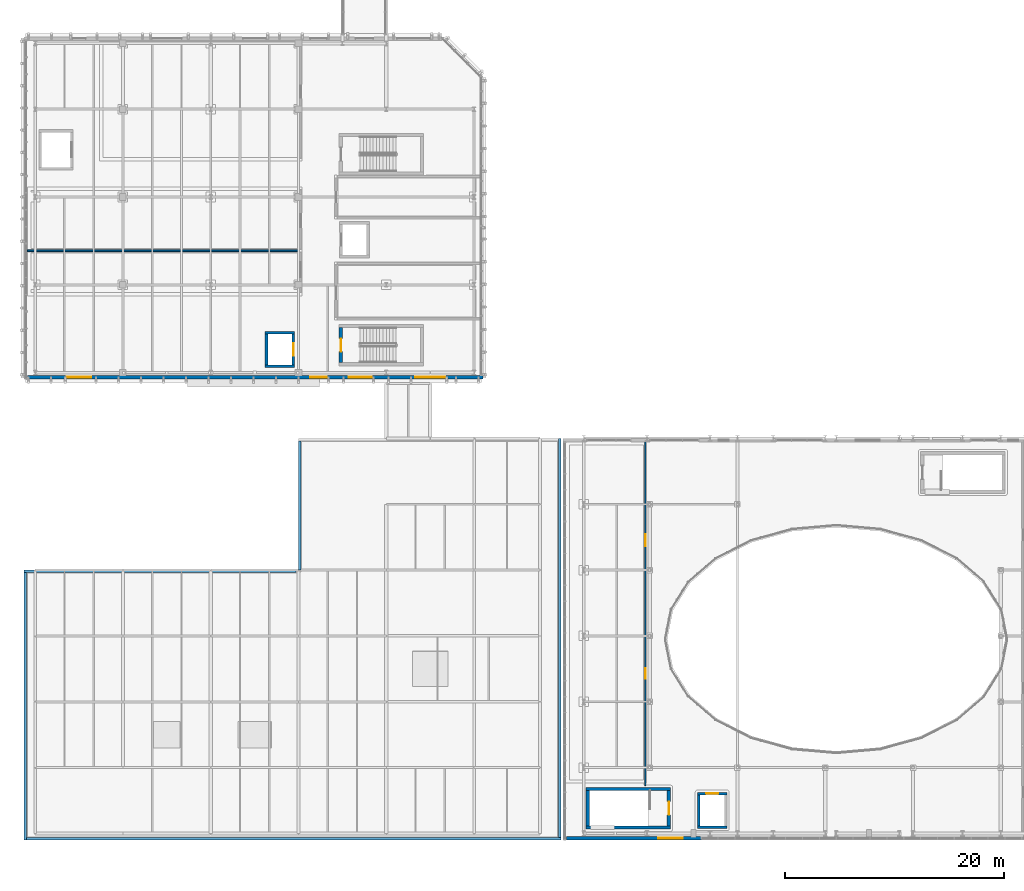
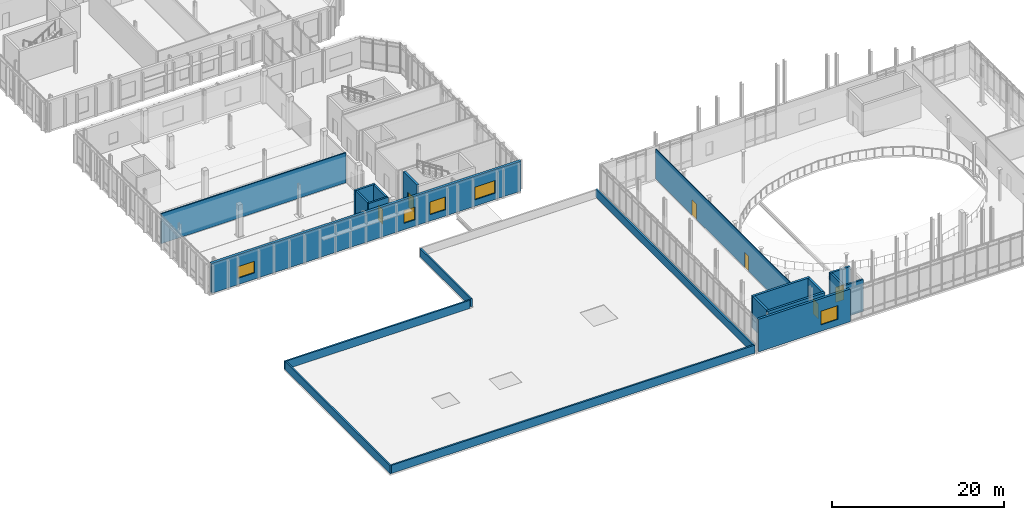
# One storey, part 59 of 86: 21 walls, 6 doors, 5 windows, 11 openings.
"""IFC4 building model written with IfcOpenShell, lengths in metres."""

from ifc_helpers import new_model, si_unit, direction, frame, frame_2d, origin, place, context, subcontext, project, spatial, rectangle, extrude, material, layer, layer_set, type_object, element, fill, save


model = new_model("IFC4")

# Units and contexts
model_context = context("Model", 3, precision=1e-05, world=origin(), true_north=direction((0.0, 1.0)))
body_context = subcontext(model_context, "Body", "Model", "MODEL_VIEW")
ifc_project = project(units=[si_unit("LENGTHUNIT", "METRE"), si_unit("AREAUNIT", "SQUARE_METRE"), si_unit("VOLUMEUNIT", "CUBIC_METRE"), si_unit("PLANEANGLEUNIT", "RADIAN"), si_unit("MASSUNIT", "GRAM", prefix="KILO")], contexts=[model_context])

# Site, building, storey
site_placement = place(None, origin())
site = spatial("IfcSite", under=ifc_project, at=site_placement, CompositionType="ELEMENT")
building_placement = place(site_placement, origin())
building = spatial("IfcBuilding", under=site, at=building_placement, Name="Cymarion Research Institute", CompositionType="ELEMENT")
storey_placement = place(building_placement, frame((0.0, 0.0, 13.800048828125)))
storey = spatial("IfcBuildingStorey", under=building, at=storey_placement, Name="L03", CompositionType="ELEMENT", Elevation=13.800048828125)

# Walls
ifc_material_1 = material(Name="Precast concrete C40/50", Category="concrete")
ifc_layer_1 = layer(ifc_material_1, 0.219970703125)
ifc_layer_set_1 = layer_set([ifc_layer_1], Name="Precast concrete C40/50")
wall_type_1 = type_object("IfcWallType", Name="EXTERIOR WALL EW-PAR220 220MM", PredefinedType="PARAPET", material=ifc_layer_set_1)
wall_1_placement = place(storey_placement, frame((5.820068359375, 5.010009765625, 0.0), z_axis=(0.0, 0.0, 1.0), x_axis=(1.0, 0.0, 0.0)))
element("IfcWall", 1, at=wall_1_placement, inside=storey, type_object=wall_type_1, Name="L03 ROOF-L03-V3W precast roof parapet #1", PredefinedType="PARAPET", context=body_context, shape_type="SweptSolid", body=[
    extrude(rectangle(XDim=48.679931640625, YDim=0.219970703125, at=frame_2d((24.33984375, 0.0))), origin(), (0.0, 0.0, 1.0), 1.14990234375),
])
wall_2_placement = place(storey_placement, frame((54.389892578125, 5.1201171875, 0.0), z_axis=(0.0, 0.0, 1.0), x_axis=(0.0, 1.0, 0.0)))
element("IfcWall", 2, at=wall_2_placement, inside=storey, type_object=wall_type_1, Name="L03 ROOF-L03-V3W precast roof parapet #2", PredefinedType="PARAPET", context=body_context, shape_type="SweptSolid", body=[
    extrude(rectangle(XDim=36.3798828125, YDim=0.219970703125, at=frame_2d((18.18994140625, 0.0))), origin(), (0.0, 0.0, 1.0), 1.14990234375),
])
wall_3_placement = place(storey_placement, frame((30.7099609375, 41.280029296875, 0.0), z_axis=(0.0, 0.0, 1.0), x_axis=(0.0, -1.0, 0.0)))
element("IfcWall", 3, at=wall_3_placement, inside=storey, type_object=wall_type_1, Name="L03 ROOF-L03-V3W precast roof parapet #4", PredefinedType="PARAPET", context=body_context, shape_type="SweptSolid", body=[
    extrude(rectangle(XDim=11.780029296875, YDim=0.219970703125, at=frame_2d((5.89013671875, 0.0))), origin(), (0.0, 0.0, 1.0), 1.14990234375),
])
wall_4_placement = place(storey_placement, frame((30.3798828125, 29.389892578125, 0.0), z_axis=(0.0, 0.0, 1.0), x_axis=(-1.0, 0.0, 0.0)))
element("IfcWall", 4, at=wall_4_placement, inside=storey, type_object=wall_type_1, Name="L03 ROOF-L03-V3W precast roof parapet #5", PredefinedType="PARAPET", context=body_context, shape_type="SweptSolid", body=[
    extrude(rectangle(XDim=24.77978515625, YDim=0.219970703125, at=frame_2d((12.389892578125, 0.0))), origin(), (0.0, 0.0, 1.0), 1.14990234375),
])
wall_5_placement = place(storey_placement, frame((5.7099609375, 29.280029296875, 0.0), z_axis=(0.0, 0.0, 1.0), x_axis=(0.0, -1.0, 0.0)))
element("IfcWall", 5, at=wall_5_placement, inside=storey, type_object=wall_type_1, Name="L03 ROOF-L03-V3W precast roof parapet #6", PredefinedType="PARAPET", context=body_context, shape_type="SweptSolid", body=[
    extrude(rectangle(XDim=24.380126953125, YDim=0.219970703125, at=frame_2d((12.18994140625, 0.0))), origin(), (0.0, 0.0, 1.0), 1.14990234375),
])

# Wall, openings, windows
ifc_layer_2 = layer(ifc_material_1, 0.340087890625)
ifc_layer_set_2 = layer_set([ifc_layer_2], Name="Precast concrete C40/50")
wall_type_2 = type_object("IfcWallType", Name="EXTERIOR WALL EW-PC340 340MM", PredefinedType="SOLIDWALL", material=ifc_layer_set_2)
wall_6_placement = place(storey_placement, frame((5.922119140625, 47.070068359375, 0.0), z_axis=(0.0, 0.0, 1.0), x_axis=(1.0, 0.0, 0.0)))
wall_6 = element("IfcWall", 6, at=wall_6_placement, inside=storey, type_object=wall_type_2, Name="L03 V4 exterior wall EW-PC340 #188", PredefinedType="SOLIDWALL", context=body_context, shape_type="SweptSolid", body=[
    extrude(rectangle(XDim=41.477783203125, YDim=0.340087890625, at=frame_2d((20.73876953125, 0.0))), origin(), (0.0, 0.0, 1.0), 4.25),
])
opening_1_placement = place(wall_6_placement, frame((3.568115234375, 0.0, 0.89990234375)))
opening_1 = element("IfcOpeningElement", 7, at=opening_1_placement, cuts=wall_6, Name="Opening W34", PredefinedType="OPENING", context=body_context, shape_type="SweptSolid", body=[
    extrude(rectangle(XDim=2.199951171875, YDim=1.64990234375, at=frame_2d((1.10009765625, 0.824951171875))), frame((0.0, 0.179931640625, 0.0), z_axis=(0.0, -1.0, 0.0), x_axis=(1.0, 0.0, 0.0)), (0.0, 0.0, 1.0), 0.360107421875),
])
opening_2_placement = place(wall_6_placement, frame((25.758056640625, 0.0, 0.89990234375)))
opening_2 = element("IfcOpeningElement", 8, at=opening_2_placement, cuts=wall_6, Name="Opening W02", PredefinedType="OPENING", context=body_context, shape_type="SweptSolid", body=[
    extrude(rectangle(XDim=1.5, YDim=1.800048828125, at=frame_2d((0.75, 0.89990234375))), frame((0.0, 0.179931640625, 0.0), z_axis=(0.0, -1.0, 0.0), x_axis=(1.0, 0.0, 0.0)), (0.0, 0.0, 1.0), 0.360107421875),
])
opening_3_placement = place(wall_6_placement, frame((29.258056640625, 0.0, 0.89990234375)))
opening_3 = element("IfcOpeningElement", 9, at=opening_3_placement, cuts=wall_6, Name="Opening W04", PredefinedType="OPENING", context=body_context, shape_type="SweptSolid", body=[
    extrude(rectangle(XDim=2.10009765625, YDim=1.800048828125, at=frame_2d((1.050048828125, 0.89990234375))), frame((0.0, 0.179931640625, 0.0), z_axis=(0.0, -1.0, 0.0), x_axis=(1.0, 0.0, 0.0)), (0.0, 0.0, 1.0), 0.360107421875),
])
opening_4_placement = place(wall_6_placement, frame((35.327880859375, 0.0, 0.89990234375)))
opening_4 = element("IfcOpeningElement", 10, at=opening_4_placement, cuts=wall_6, Name="Opening W06", PredefinedType="OPENING", context=body_context, shape_type="SweptSolid", body=[
    extrude(rectangle(XDim=2.699951171875, YDim=1.800048828125, at=frame_2d((1.35009765625, 0.89990234375))), frame((0.0, 0.179931640625, 0.0), z_axis=(0.0, -1.0, 0.0), x_axis=(1.0, 0.0, 0.0)), (0.0, 0.0, 1.0), 0.360107421875),
])
ifc_material_2 = material(Name="Thermally broken aluminium window with Low-E glazing", Category="aluminium")
window_type_1 = type_object("IfcWindowType", Name="THERMALLY BROKEN ALUMINIUM WINDOW W02 1500X1800", PartitioningType="DOUBLE_PANEL_VERTICAL", PredefinedType="WINDOW", material=ifc_material_2)
window_1_placement = place(opening_2_placement, origin())
window_1 = element("IfcWindow", 11, at=window_1_placement, inside=storey, type_object=window_type_1, Name="L03 V4 facade window W02 #337", OverallHeight=1.800048828125, OverallWidth=1.5, PartitioningType="SINGLE_PANEL", PredefinedType="WINDOW", context=body_context, shape_type="SweptSolid", body=[
    extrude(rectangle(XDim=1.5, YDim=1.800048828125, at=frame_2d((0.75, 0.89990234375))), frame((0.0, 0.030029296875, 0.0), z_axis=(0.0, -1.0, 0.0), x_axis=(1.0, 0.0, 0.0)), (0.0, 0.0, 1.0), 0.06005859375),
])
fill(opening_2, window_1)
window_type_2 = type_object("IfcWindowType", Name="THERMALLY BROKEN ALUMINIUM WINDOW W04 2100X1800", PartitioningType="DOUBLE_PANEL_VERTICAL", PredefinedType="WINDOW", material=ifc_material_2)
window_2_placement = place(opening_3_placement, origin())
window_2 = element("IfcWindow", 12, at=window_2_placement, inside=storey, type_object=window_type_2, Name="L03 V4 facade window W04 #338", OverallHeight=1.800048828125, OverallWidth=2.10009765625, PartitioningType="SINGLE_PANEL", PredefinedType="WINDOW", context=body_context, shape_type="SweptSolid", body=[
    extrude(rectangle(XDim=2.10009765625, YDim=1.800048828125, at=frame_2d((1.050048828125, 0.89990234375))), frame((0.0, 0.030029296875, 0.0), z_axis=(0.0, -1.0, 0.0), x_axis=(1.0, 0.0, 0.0)), (0.0, 0.0, 1.0), 0.06005859375),
])
fill(opening_3, window_2)
window_type_3 = type_object("IfcWindowType", Name="THERMALLY BROKEN ALUMINIUM WINDOW W06 2700X1800", PartitioningType="TRIPLE_PANEL_VERTICAL", PredefinedType="WINDOW", material=ifc_material_2)
window_3_placement = place(opening_4_placement, origin())
window_3 = element("IfcWindow", 13, at=window_3_placement, inside=storey, type_object=window_type_3, Name="L03 V4 facade window W06 #339", OverallHeight=1.800048828125, OverallWidth=2.699951171875, PartitioningType="SINGLE_PANEL", PredefinedType="WINDOW", context=body_context, shape_type="SweptSolid", body=[
    extrude(rectangle(XDim=2.699951171875, YDim=1.800048828125, at=frame_2d((1.35009765625, 0.89990234375))), frame((0.0, 0.030029296875, 0.0), z_axis=(0.0, -1.0, 0.0), x_axis=(1.0, 0.0, 0.0)), (0.0, 0.0, 1.0), 0.06005859375),
])
fill(opening_4, window_3)
window_type_4 = type_object("IfcWindowType", Name="THERMALLY BROKEN ALUMINIUM WINDOW W34 2200X1650", PartitioningType="DOUBLE_PANEL_VERTICAL", PredefinedType="WINDOW", material=ifc_material_2)
window_4_placement = place(opening_1_placement, origin())
window_4 = element("IfcWindow", 14, at=window_4_placement, inside=storey, type_object=window_type_4, Name="L03 V4 facade window W34 #336", OverallHeight=1.64990234375, OverallWidth=2.199951171875, PartitioningType="SINGLE_PANEL", PredefinedType="WINDOW", context=body_context, shape_type="SweptSolid", body=[
    extrude(rectangle(XDim=2.199951171875, YDim=1.64990234375, at=frame_2d((1.10009765625, 0.824951171875))), frame((0.0, 0.030029296875, 0.0), z_axis=(0.0, -1.0, 0.0), x_axis=(1.0, 0.0, 0.0)), (0.0, 0.0, 1.0), 0.06005859375),
])
fill(opening_1, window_4)

# Wall, opening, window
ifc_material_3 = material(Name="Concrete C40/50", Category="concrete")
ifc_layer_3 = layer(ifc_material_3, 0.320068359375)
ifc_layer_set_3 = layer_set([ifc_layer_3], Name="Concrete C40/50")
wall_type_3 = type_object("IfcWallType", Name="EXTERIOR WALL EW-RC320 320MM", PredefinedType="SHEAR", material=ifc_layer_set_3)
wall_7_placement = place(storey_placement, frame((55.001953125, 5.06005859375, 0.0), z_axis=(0.0, 0.0, 1.0), x_axis=(1.0, 0.0, 0.0)))
wall_7 = element("IfcWall", 15, at=wall_7_placement, inside=storey, type_object=wall_type_3, Name="L03 V2 facade pier wall EW-RC320 #181", PredefinedType="SHEAR", context=body_context, shape_type="SweptSolid", body=[
    extrude(rectangle(XDim=12.299072265625, YDim=0.320068359375, at=frame_2d((6.1494140625, 0.0))), origin(), (0.0, 0.0, 1.0), 4.619873046875),
])
opening_5_placement = place(wall_7_placement, frame((8.35791015625, 0.0, 0.89990234375)))
opening_5 = element("IfcOpeningElement", 16, at=opening_5_placement, cuts=wall_7, Name="Opening W30", PredefinedType="OPENING", context=body_context, shape_type="SweptSolid", body=[
    extrude(rectangle(XDim=2.25, YDim=1.949951171875, at=frame_2d((1.125, 0.97509765625))), frame((0.0, 0.169921875, 0.0), z_axis=(0.0, -1.0, 0.0), x_axis=(1.0, 0.0, 0.0)), (0.0, 0.0, 1.0), 0.340087890625),
])
window_type_5 = type_object("IfcWindowType", Name="THERMALLY BROKEN ALUMINIUM WINDOW W30 2250X1950", PartitioningType="DOUBLE_PANEL_VERTICAL", PredefinedType="WINDOW", material=ifc_material_2)
window_5_placement = place(opening_5_placement, origin())
window_5 = element("IfcWindow", 17, at=window_5_placement, inside=storey, type_object=window_type_5, Name="L03 V2 facade window W30 #332", OverallHeight=1.949951171875, OverallWidth=2.25, PartitioningType="SINGLE_PANEL", PredefinedType="WINDOW", context=body_context, shape_type="SweptSolid", body=[
    extrude(rectangle(XDim=2.25, YDim=1.949951171875, at=frame_2d((1.125, 0.97509765625))), frame((0.0, 0.030029296875, 0.0), z_axis=(0.0, -1.0, 0.0), x_axis=(1.0, 0.0, 0.0)), (0.0, 0.0, 1.0), 0.06005859375),
])
fill(opening_5, window_5)

# Wall
ifc_material_4 = material(Name="ISO cleanroom modular flush panel wall", Category="metal")
ifc_layer_4 = layer(ifc_material_4, 0.159912109375)
ifc_layer_set_4 = layer_set([ifc_layer_4], Name="ISO cleanroom modular flush panel wall")
wall_type_4 = type_object("IfcWallType", Name="INTERIOR PARTITION IW-CL160 160MM", PredefinedType="PARTITIONING", material=ifc_layer_set_4)
wall_8_placement = place(storey_placement, frame((5.885009765625, 58.60009765625, 0.0), z_axis=(0.0, 0.0, 1.0), x_axis=(1.0, 0.0, 0.0)))
element("IfcWall", 18, at=wall_8_placement, inside=storey, type_object=wall_type_4, Name="L03 V4 interior partition IW-CL160 #236", PredefinedType="PARTITIONING", context=body_context, shape_type="SweptSolid", body=[
    extrude(rectangle(XDim=24.764892578125, YDim=0.159912109375, at=frame_2d((12.38232421875, 0.0))), origin(), (0.0, 0.0, 1.0), 4.25),
])

# Wall, openings, doors
ifc_material_5 = material(Name="Framed acoustic glass laboratory screen", Category="glass")
ifc_layer_5 = layer(ifc_material_5, 0.10009765625)
ifc_layer_set_5 = layer_set([ifc_layer_5], Name="Framed acoustic glass laboratory screen")
wall_type_5 = type_object("IfcWallType", Name="INTERIOR PARTITION IW-GL100 100MM", PredefinedType="PARTITIONING", material=ifc_layer_set_5)
wall_9_placement = place(storey_placement, frame((62.199951171875, 9.85009765625, 0.0), z_axis=(0.0, 0.0, 1.0), x_axis=(0.0, 1.0, 0.0)))
wall_9 = element("IfcWall", 19, at=wall_9_placement, inside=storey, type_object=wall_type_5, Name="L03 V2 interior partition IW-GL100 #230", PredefinedType="PARTITIONING", context=body_context, shape_type="SweptSolid", body=[
    extrude(rectangle(XDim=31.39990234375, YDim=0.10009765625, at=frame_2d((15.699951171875, 0.0))), origin(), (0.0, 0.0, 1.0), 4.25),
])
opening_6_placement = place(wall_9_placement, frame((9.7529296875, 0.0, 0.0)))
opening_6 = element("IfcOpeningElement", 20, at=opening_6_placement, cuts=wall_9, Name="Opening D-L03-154", PredefinedType="OPENING", context=body_context, shape_type="SweptSolid", body=[
    extrude(rectangle(XDim=0.949951171875, YDim=2.10009765625, at=frame_2d((0.47509765625, 1.050048828125))), frame((0.0, 0.06005859375, 0.0), z_axis=(0.0, -1.0, 0.0), x_axis=(1.0, 0.0, 0.0)), (0.0, 0.0, 1.0), 0.1201171875),
])
opening_7_placement = place(wall_9_placement, frame((21.8369140625, 0.0, 0.0)))
opening_7 = element("IfcOpeningElement", 21, at=opening_7_placement, cuts=wall_9, Name="Opening D-L03-155", PredefinedType="OPENING", context=body_context, shape_type="SweptSolid", body=[
    extrude(rectangle(XDim=1.10009765625, YDim=2.14990234375, at=frame_2d((0.550048828125, 1.074951171875))), frame((0.0, 0.06005859375, 0.0), z_axis=(0.0, -1.0, 0.0), x_axis=(1.0, 0.0, 0.0)), (0.0, 0.0, 1.0), 0.1201171875),
])
ifc_material_6 = material(Name="Flush acoustic timber/steel door assembly", Category="steel")
door_type_1 = type_object("IfcDoorType", Name="FACULTY STUDY DOOR DT-OF095 950X2100", OperationType="NOTDEFINED", PredefinedType="DOOR", material=ifc_material_6)
door_1_placement = place(opening_6_placement, origin())
door_1 = element("IfcDoor", 22, at=door_1_placement, inside=storey, type_object=door_type_1, Name="L03 West Collaboration door D-L03-154", OperationType="SINGLE_SWING_LEFT", OverallHeight=2.10009765625, OverallWidth=0.949951171875, PredefinedType="DOOR", context=body_context, shape_type="SweptSolid", body=[
    extrude(rectangle(XDim=0.949951171875, YDim=2.10009765625, at=frame_2d((0.47509765625, 1.050048828125))), frame((0.0, 0.02490234375, 0.0), z_axis=(0.0, -1.0, 0.0), x_axis=(1.0, 0.0, 0.0)), (0.0, 0.0, 1.0), 0.050048828125),
])
fill(opening_6, door_1)
door_type_2 = type_object("IfcDoorType", Name="LABORATORY WIDE SINGLE DOOR DT-LB110 1100X2150", OperationType="NOTDEFINED", PredefinedType="DOOR", material=ifc_material_6)
door_2_placement = place(opening_7_placement, origin())
door_2 = element("IfcDoor", 23, at=door_2_placement, inside=storey, type_object=door_type_2, Name="L03 Open Makerspace door D-L03-155", OperationType="SINGLE_SWING_RIGHT", OverallHeight=2.14990234375, OverallWidth=1.10009765625, PredefinedType="DOOR", context=body_context, shape_type="SweptSolid", body=[
    extrude(rectangle(XDim=1.10009765625, YDim=2.14990234375, at=frame_2d((0.550048828125, 1.074951171875))), frame((0.0, 0.02490234375, 0.0), z_axis=(0.0, -1.0, 0.0), x_axis=(1.0, 0.0, 0.0)), (0.0, 0.0, 1.0), 0.050048828125),
])
fill(opening_7, door_2)

# Wall
ifc_layer_6 = layer(ifc_material_3, 0.25)
ifc_layer_set_6 = layer_set([ifc_layer_6], Name="Concrete C40/50")
wall_type_6 = type_object("IfcWallType", Name="REINFORCED CONCRETE CORE WALL CW-SH250 250MM", PredefinedType="SHEAR", material=ifc_layer_set_6)
wall_10_placement = place(storey_placement, frame((66.949951171875, 6.074951171875, 0.0), z_axis=(0.0, 0.0, 1.0), x_axis=(1.0, 0.0, 0.0)))
element("IfcWall", 24, at=wall_10_placement, inside=storey, type_object=wall_type_6, Name="L03 LSH-LP2-L03 south core wall", PredefinedType="SHEAR", context=body_context, shape_type="SweptSolid", body=[
    extrude(rectangle(XDim=2.699951171875, YDim=0.25, at=frame_2d((1.35009765625, 0.0))), origin(), (0.0, 0.0, 1.0), 4.5),
])

# Wall, opening, door
wall_11_placement = place(storey_placement, frame((69.64990234375, 9.125, 0.0), z_axis=(0.0, 0.0, 1.0), x_axis=(-1.0, 0.0, 0.0)))
wall_11 = element("IfcWall", 25, at=wall_11_placement, inside=storey, type_object=wall_type_6, Name="L03 LSH-LP2-L03 north core wall", PredefinedType="SHEAR", context=body_context, shape_type="SweptSolid", body=[
    extrude(rectangle(XDim=2.699951171875, YDim=0.25, at=frame_2d((1.35009765625, 0.0))), origin(), (0.0, 0.0, 1.0), 4.5),
])
opening_8_placement = place(wall_11_placement, frame((0.800048828125, 0.0, 0.0)))
opening_8 = element("IfcOpeningElement", 26, at=opening_8_placement, cuts=wall_11, Name="Opening LD-LP2-L03", PredefinedType="OPENING", context=body_context, shape_type="SweptSolid", body=[
    extrude(rectangle(XDim=1.10009765625, YDim=2.14990234375, at=frame_2d((0.550048828125, 1.074951171875))), frame((0.0, 0.135009765625, 0.0), z_axis=(0.0, -1.0, 0.0), x_axis=(1.0, 0.0, 0.0)), (0.0, 0.0, 1.0), 0.27001953125),
])
ifc_material_7 = material(Name="Fire-rated insulated steel door assembly", Category="steel")
door_type_3 = type_object("IfcDoorType", Name="SLIDING LIFT LANDING DOOR DT-LD110 1100X2150", OperationType="DOUBLE_DOOR_SLIDING", PredefinedType="DOOR", material=ifc_material_7)
door_3_placement = place(opening_8_placement, origin())
door_3 = element("IfcDoor", 27, at=door_3_placement, inside=storey, type_object=door_type_3, Name="Lift LP2 landing door L03", OperationType="DOUBLE_DOOR_SLIDING", OverallHeight=2.14990234375, OverallWidth=1.10009765625, PredefinedType="DOOR", context=body_context, shape_type="SweptSolid", body=[
    extrude(rectangle(XDim=1.10009765625, YDim=2.14990234375, at=frame_2d((0.550048828125, 1.074951171875))), frame((0.0, 0.02490234375, 0.0), z_axis=(0.0, -1.0, 0.0), x_axis=(1.0, 0.0, 0.0)), (0.0, 0.0, 1.0), 0.050048828125),
])
fill(opening_8, door_3)

# Walls
wall_12_placement = place(storey_placement, frame((67.074951171875, 9.0, 0.0), z_axis=(0.0, 0.0, 1.0), x_axis=(0.0, -1.0, 0.0)))
element("IfcWall", 28, at=wall_12_placement, inside=storey, type_object=wall_type_6, Name="L03 LSH-LP2-L03 west core wall", PredefinedType="SHEAR", context=body_context, shape_type="SweptSolid", body=[
    extrude(rectangle(XDim=2.800048828125, YDim=0.25, at=frame_2d((1.39990234375, 0.0))), origin(), (0.0, 0.0, 1.0), 4.5),
])
for number, where, z_axis, x_axis, name in (
    (29, (27.550048828125, 48.074951171875, 0.0), (0.0, 0.0, 1.0), (1.0, 0.0, 0.0), "L03 LSH-LP1-L03 south core wall"),
    (30, (30.25, 51.125, 0.0), (0.0, 0.0, 1.0), (-1.0, 0.0, 0.0), "L03 LSH-LP1-L03 north core wall"),
):
    element("IfcWall", number, at=place(storey_placement, frame(where, z_axis=z_axis, x_axis=x_axis)), inside=storey, type_object=wall_type_6, Name=name, PredefinedType="SHEAR", context=body_context, shape_type="SweptSolid", body=[
        extrude(rectangle(XDim=2.699951171875, YDim=0.25, at=frame_2d((1.35009765625, 0.0))), origin(), (0.0, 0.0, 1.0), 4.5),
    ])
wall_13_placement = place(storey_placement, frame((27.675048828125, 51.0, 0.0), z_axis=(0.0, 0.0, 1.0), x_axis=(0.0, -1.0, 0.0)))
element("IfcWall", 31, at=wall_13_placement, inside=storey, type_object=wall_type_6, Name="L03 LSH-LP1-L03 west core wall", PredefinedType="SHEAR", context=body_context, shape_type="SweptSolid", body=[
    extrude(rectangle(XDim=2.800048828125, YDim=0.25, at=frame_2d((1.39990234375, 0.0))), origin(), (0.0, 0.0, 1.0), 4.5),
])

# Wall, opening, door
wall_14_placement = place(storey_placement, frame((30.125, 48.199951171875, 0.0), z_axis=(0.0, 0.0, 1.0), x_axis=(0.0, 1.0, 0.0)))
wall_14 = element("IfcWall", 32, at=wall_14_placement, inside=storey, type_object=wall_type_6, Name="L03 LSH-LP1-L03 east core wall", PredefinedType="SHEAR", context=body_context, shape_type="SweptSolid", body=[
    extrude(rectangle(XDim=2.800048828125, YDim=0.25, at=frame_2d((1.39990234375, 0.0))), origin(), (0.0, 0.0, 1.0), 4.5),
])
opening_9_placement = place(wall_14_placement, frame((0.85009765625, 0.0, 0.0)))
opening_9 = element("IfcOpeningElement", 33, at=opening_9_placement, cuts=wall_14, Name="Opening LD-LP1-L03", PredefinedType="OPENING", context=body_context, shape_type="SweptSolid", body=[
    extrude(rectangle(XDim=1.10009765625, YDim=2.14990234375, at=frame_2d((0.550048828125, 1.074951171875))), frame((0.0, 0.135009765625, 0.0), z_axis=(0.0, -1.0, 0.0), x_axis=(1.0, 0.0, 0.0)), (0.0, 0.0, 1.0), 0.27001953125),
])
door_4_placement = place(opening_9_placement, origin())
door_4 = element("IfcDoor", 34, at=door_4_placement, inside=storey, type_object=door_type_3, Name="Lift LP1 landing door L03", OperationType="DOUBLE_DOOR_SLIDING", OverallHeight=2.14990234375, OverallWidth=1.10009765625, PredefinedType="DOOR", context=body_context, shape_type="SweptSolid", body=[
    extrude(rectangle(XDim=1.10009765625, YDim=2.14990234375, at=frame_2d((0.550048828125, 1.074951171875))), frame((0.0, 0.02490234375, 0.0), z_axis=(0.0, -1.0, 0.0), x_axis=(1.0, 0.0, 0.0)), (0.0, 0.0, 1.0), 0.050048828125),
])
fill(opening_9, door_4)

# Walls
ifc_layer_7 = layer(ifc_material_3, 0.300048828125)
ifc_layer_set_7 = layer_set([ifc_layer_7], Name="Concrete C40/50")
wall_type_7 = type_object("IfcWallType", Name="REINFORCED CONCRETE CORE WALL CW-SH300 300MM", PredefinedType="SHEAR", material=ifc_layer_set_7)
for number, where, z_axis, x_axis, name in (
    (35, (56.800048828125, 6.050048828125, 0.0), (0.0, 0.0, 1.0), (1.0, 0.0, 0.0), "L03 SHW-C3-L03 south core wall"),
    (36, (64.5, 9.550048828125, 0.0), (0.0, 0.0, 1.0), (-1.0, 0.0, 0.0), "L03 SHW-C3-L03 north core wall"),
):
    element("IfcWall", number, at=place(storey_placement, frame(where, z_axis=z_axis, x_axis=x_axis)), inside=storey, type_object=wall_type_7, Name=name, PredefinedType="SHEAR", context=body_context, shape_type="SweptSolid", body=[
        extrude(rectangle(XDim=7.699951171875, YDim=0.300048828125, at=frame_2d((3.85009765625, 0.0))), origin(), (0.0, 0.0, 1.0), 4.5),
    ])
wall_15_placement = place(storey_placement, frame((56.949951171875, 9.39990234375, 0.0), z_axis=(0.0, 0.0, 1.0), x_axis=(0.0, -1.0, 0.0)))
element("IfcWall", 37, at=wall_15_placement, inside=storey, type_object=wall_type_7, Name="L03 SHW-C3-L03 west core wall", PredefinedType="SHEAR", context=body_context, shape_type="SweptSolid", body=[
    extrude(rectangle(XDim=3.199951171875, YDim=0.300048828125, at=frame_2d((1.60009765625, 0.0))), origin(), (0.0, 0.0, 1.0), 4.5),
])

# Wall, opening, door
wall_16_placement = place(storey_placement, frame((64.35009765625, 6.199951171875, 0.0), z_axis=(0.0, 0.0, 1.0), x_axis=(0.0, 1.0, 0.0)))
wall_16 = element("IfcWall", 38, at=wall_16_placement, inside=storey, type_object=wall_type_7, Name="L03 SHW-C3-L03 east core wall", PredefinedType="SHEAR", context=body_context, shape_type="SweptSolid", body=[
    extrude(rectangle(XDim=3.199951171875, YDim=0.300048828125, at=frame_2d((1.60009765625, 0.0))), origin(), (0.0, 0.0, 1.0), 4.5),
])
opening_10_placement = place(wall_16_placement, frame((1.0, 0.0, 0.0)))
opening_10 = element("IfcOpeningElement", 39, at=opening_10_placement, cuts=wall_16, Name="Opening FD-L03-ST3", PredefinedType="OPENING", context=body_context, shape_type="SweptSolid", body=[
    extrude(rectangle(XDim=1.199951171875, YDim=2.14990234375, at=frame_2d((0.60009765625, 1.074951171875))), frame((0.0, 0.159912109375, 0.0), z_axis=(0.0, -1.0, 0.0), x_axis=(1.0, 0.0, 0.0)), (0.0, 0.0, 1.0), 0.320068359375),
])
door_type_4 = type_object("IfcDoorType", Name="SMOKE PROOF STAIR FIRE DOOR DT-ST120 1200X2150", OperationType="NOTDEFINED", PredefinedType="DOOR", material=ifc_material_7)
door_5_placement = place(opening_10_placement, origin())
door_5 = element("IfcDoor", 40, at=door_5_placement, inside=storey, type_object=door_type_4, Name="L03 ST3 smoke-proof stair door FD-L03-ST3", OperationType="SINGLE_SWING_LEFT", OverallHeight=2.14990234375, OverallWidth=1.199951171875, PredefinedType="DOOR", context=body_context, shape_type="SweptSolid", body=[
    extrude(rectangle(XDim=1.199951171875, YDim=2.14990234375, at=frame_2d((0.60009765625, 1.074951171875))), frame((0.0, 0.02490234375, 0.0), z_axis=(0.0, -1.0, 0.0), x_axis=(1.0, 0.0, 0.0)), (0.0, 0.0, 1.0), 0.050048828125),
])
fill(opening_10, door_5)

wall_17_placement = place(storey_placement, frame((34.449951171875, 51.60009765625, 0.0), z_axis=(0.0, 0.0, 1.0), x_axis=(0.0, -1.0, 0.0)))
wall_17 = element("IfcWall", 41, at=wall_17_placement, inside=storey, type_object=wall_type_7, Name="L03 SHW-C7-L03 west core wall", PredefinedType="SHEAR", context=body_context, shape_type="SweptSolid", body=[
    extrude(rectangle(XDim=3.2001953125, YDim=0.300048828125, at=frame_2d((1.60009765625, 0.0))), origin(), (0.0, 0.0, 1.0), 4.5),
])
opening_11_placement = place(wall_17_placement, frame((1.0, 0.0, 0.0)))
opening_11 = element("IfcOpeningElement", 42, at=opening_11_placement, cuts=wall_17, Name="Opening FD-L03-ST7", PredefinedType="OPENING", context=body_context, shape_type="SweptSolid", body=[
    extrude(rectangle(XDim=1.199951171875, YDim=2.14990234375, at=frame_2d((0.60009765625, 1.074951171875))), frame((0.0, 0.159912109375, 0.0), z_axis=(0.0, -1.0, 0.0), x_axis=(1.0, 0.0, 0.0)), (0.0, 0.0, 1.0), 0.320068359375),
])
door_6_placement = place(opening_11_placement, origin())
door_6 = element("IfcDoor", 43, at=door_6_placement, inside=storey, type_object=door_type_4, Name="L03 ST7 smoke-proof stair door FD-L03-ST7", OperationType="SINGLE_SWING_LEFT", OverallHeight=2.14990234375, OverallWidth=1.199951171875, PredefinedType="DOOR", context=body_context, shape_type="SweptSolid", body=[
    extrude(rectangle(XDim=1.199951171875, YDim=2.14990234375, at=frame_2d((0.60009765625, 1.074951171875))), frame((0.0, 0.02490234375, 0.0), z_axis=(0.0, -1.0, 0.0), x_axis=(1.0, 0.0, 0.0)), (0.0, 0.0, 1.0), 0.050048828125),
])
fill(opening_11, door_6)

save(model, "model.ifc")
